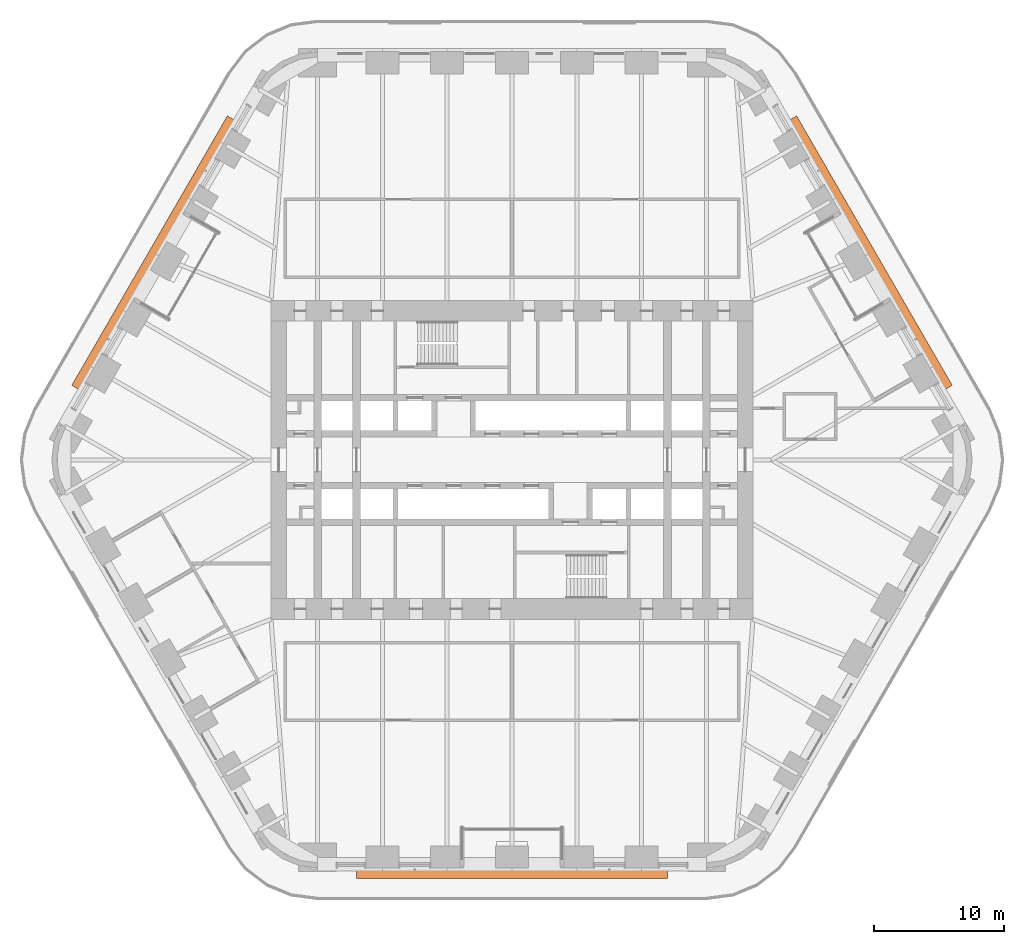
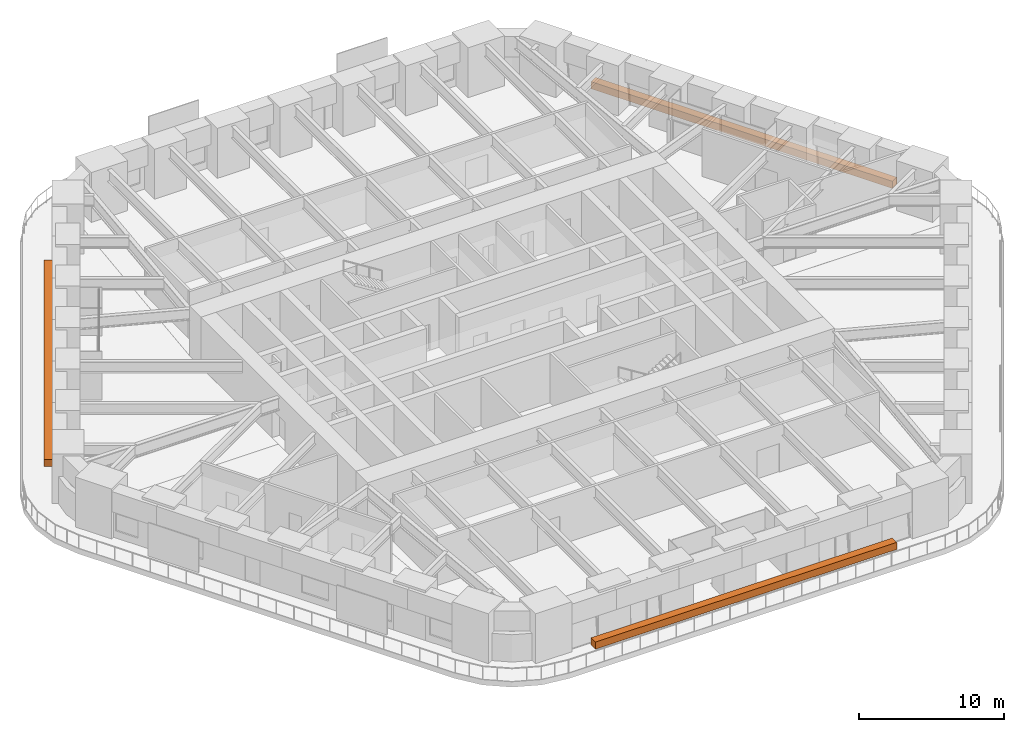
# One storey, part 24 of 24: 3 proxies.
"""IFC4 building model written with IfcOpenShell, lengths in metres."""

from ifc_helpers import new_model, si_unit, direction, frame, origin, origin_2d, place, context, subcontext, project, spatial, rectangle, extrude, material, element, save


model = new_model("IFC4")

# Units and contexts
model_context = context("Model", 3, precision=1e-05, world=origin(), true_north=direction((0.0, 1.0)))
body_context = subcontext(model_context, "Body", "Model", "MODEL_VIEW")
ifc_project = project(units=[si_unit("LENGTHUNIT", "METRE"), si_unit("AREAUNIT", "SQUARE_METRE"), si_unit("VOLUMEUNIT", "CUBIC_METRE"), si_unit("PLANEANGLEUNIT", "RADIAN"), si_unit("MASSUNIT", "GRAM", prefix="KILO")], contexts=[model_context])

# Site, building, storey
site_placement = place(None, origin())
site = spatial("IfcSite", under=ifc_project, at=site_placement, CompositionType="ELEMENT")
building_placement = place(site_placement, origin())
building = spatial("IfcBuilding", under=site, at=building_placement, Name="Tarfa Lantern Tower", CompositionType="ELEMENT")
storey_placement = place(building_placement, frame((0.0, 0.0, 119.5)))
storey = spatial("IfcBuildingStorey", under=building, at=storey_placement, Name="L26", CompositionType="ELEMENT", Elevation=119.5)

# Proxies
ifc_material = material(Name="Planting bed")
for number, where, z_axis, x_axis, name in (
    (1, (27.712890625, 16.0, 0.0), (0.0, 0.0, 1.0), (-0.5, 0.866025403784, 0.0), "Balcony planter"),
    (2, (-27.712890625, 16.0, 0.0), (0.0, 0.0, 1.0), (-0.5, -0.866025403784, 0.0), "Balcony planter"),
    (3, (0.0, -32.0, 0.0), (0.0, 0.0, 1.0), (1.0, 0.0, 0.0), "Balcony planter"),
):
    element("IfcBuildingElementProxy", number, at=place(storey_placement, frame(where, z_axis=z_axis, x_axis=x_axis)), inside=storey, material=ifc_material, Name=name, ObjectType="PLANTER", PredefinedType="USERDEFINED", context=body_context, shape_type="SweptSolid", body=[
        extrude(rectangle(XDim=24.017822265625, YDim=0.60009765625, at=origin_2d()), origin(), (0.0, 0.0, 1.0), 0.60009765625),
    ])

save(model, "model.ifc")
